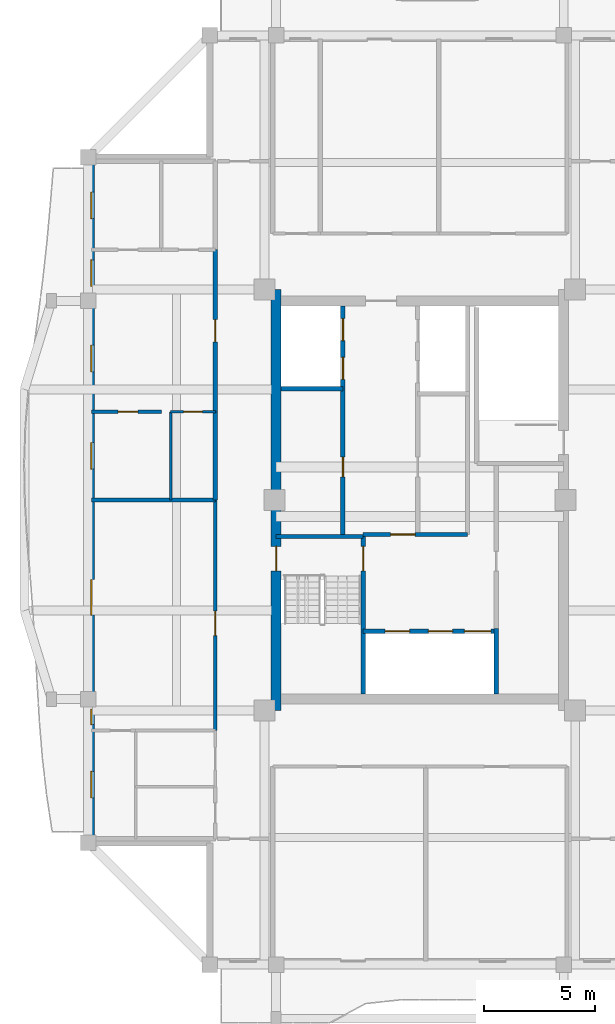
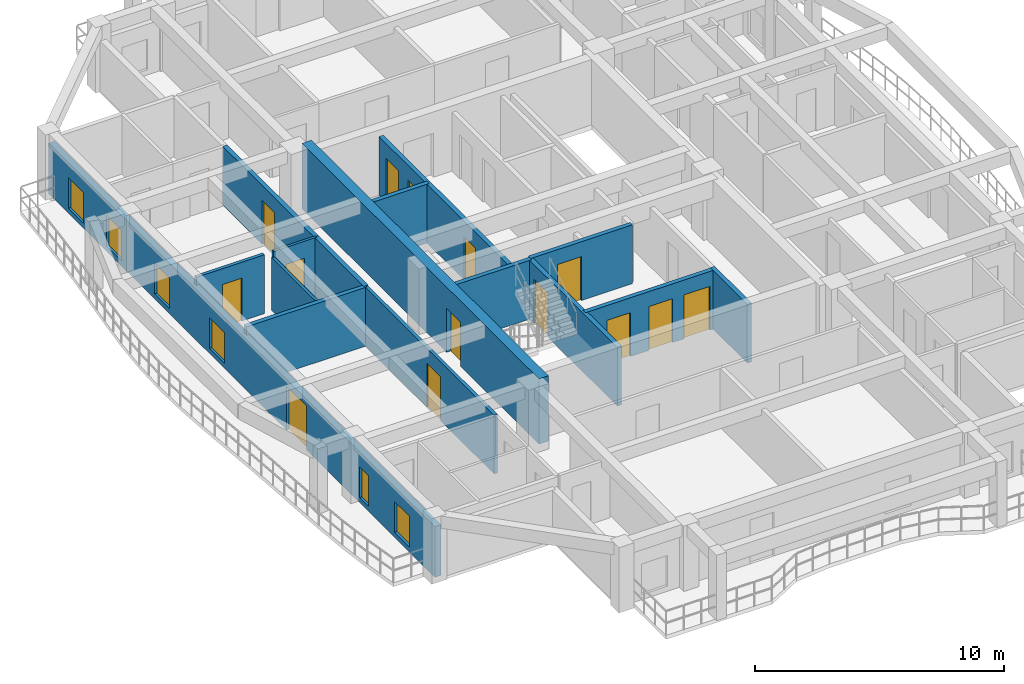
# One storey, part 3 of 11: 16 walls, 14 doors, 6 windows, 20 openings.
"""IFC4 building model written with IfcOpenShell, lengths in metres."""

from ifc_helpers import new_model, si_unit, direction, frame, frame_2d, origin, place, context, subcontext, project, spatial, rectangle, extrude, source, transform, mapped, material, layer, layer_set, type_object, element, fill, save


model = new_model("IFC4")

# Units and contexts
model_context = context("Model", 3, precision=1e-05, world=origin(), true_north=direction((0.0, 1.0)))
body_context = subcontext(model_context, "Body", "Model", "MODEL_VIEW")
ifc_project = project(units=[si_unit("LENGTHUNIT", "METRE"), si_unit("AREAUNIT", "SQUARE_METRE"), si_unit("VOLUMEUNIT", "CUBIC_METRE"), si_unit("PLANEANGLEUNIT", "RADIAN"), si_unit("MASSUNIT", "GRAM", prefix="KILO")], contexts=[model_context])

# Site, building, storey
site_placement = place(None, origin())
site = spatial("IfcSite", under=ifc_project, at=site_placement, CompositionType="ELEMENT")
building_placement = place(site_placement, origin())
building = spatial("IfcBuilding", under=site, at=building_placement, Name="Saelheon Loggia Tower", CompositionType="ELEMENT")
storey_placement = place(building_placement, frame((0.0, 0.0, 249.0)))
storey = spatial("IfcBuildingStorey", under=building, at=storey_placement, Name="L77", CompositionType="ELEMENT", Elevation=249.0)

# Wall, opening, door
ifc_material_1 = material(Name="Concrete C45/55", Category="concrete")
ifc_layer_1 = layer(ifc_material_1, 0.449951171875)
ifc_layer_set_1 = layer_set([ifc_layer_1], Name="Concrete C45/55")
wall_type_1 = type_object("IfcWallType", Name="Wall_CoreShear_450", PredefinedType="SHEAR", material=ifc_layer_set_1)
wall_1_placement = place(storey_placement, frame((31.5, 17.47998046875, 0.0), z_axis=(0.0, 0.0, 1.0), x_axis=(0.0, 1.0, 0.0)))
wall_1 = element("IfcWall", 1, at=wall_1_placement, inside=storey, type_object=wall_type_1, Name="L77 Core Shear Wall West", PredefinedType="SHEAR", context=body_context, shape_type="SweptSolid", body=[
    extrude(rectangle(XDim=19.0400390625, YDim=0.449951171875, at=frame_2d((9.52001953125, 0.0))), origin(), (0.0, 0.0, 1.0), 3.199951171875),
])
opening_1_placement = place(wall_1_placement, frame((6.320068359375, 0.0, 0.0)))
opening_1 = element("IfcOpeningElement", 2, at=opening_1_placement, cuts=wall_1, Name="Opening D-FD2", PredefinedType="OPENING", context=body_context, shape_type="SweptSolid", body=[
    extrude(rectangle(XDim=1.10009765625, YDim=2.14990234375, at=frame_2d((0.550048828125, 1.074951171875))), frame((0.0, 0.237060546875, 0.0), z_axis=(0.0, -1.0, 0.0), x_axis=(1.0, 0.0, 0.0)), (0.0, 0.0, 1.0), 0.473876953125),
])
ifc_material_2 = material(Name="Galvanised Steel Fire Door", Category="steel")
door_type_1 = type_object("IfcDoorType", Name="Door_Fire_FD60_1100", OperationType="NOTDEFINED", PredefinedType="DOOR", material=ifc_material_2)
shared_shape_1 = source(origin(), body_context, "Body", "SweptSolid", [
    extrude(rectangle(XDim=1.10009765625, YDim=2.14990234375, at=frame_2d((0.550048828125, 1.074951171875))), frame((0.0, 0.02490234375, 0.0), z_axis=(0.0, -1.0, 0.0), x_axis=(1.0, 0.0, 0.0)), (0.0, 0.0, 1.0), 0.050048828125),
])
door_1_placement = place(opening_1_placement, origin())
door_1 = element("IfcDoor", 3, at=door_1_placement, inside=storey, type_object=door_type_1, Name="L77 Stair ST1 Corridor Door", OperationType="SINGLE_SWING_LEFT", OverallHeight=2.14990234375, OverallWidth=1.10009765625, PredefinedType="DOOR", context=body_context, shape_type="MappedRepresentation", body=[
    mapped(shared_shape_1, transform((0.0, 0.0, 0.0), scale=1.0)),
])
fill(opening_1, door_1)

# Wall, openings, windows, door
ifc_material_3 = material(Name="Architectural Precast Concrete C40/50", Category="concrete")
ifc_layer_2 = layer(ifc_material_3, 0.280029296875)
ifc_layer_set_2 = layer_set([ifc_layer_2], Name="Architectural Precast Concrete C40/50")
wall_type_2 = type_object("IfcWallType", Name="Wall_Ext_Loggia_280", PredefinedType="SOLIDWALL", material=ifc_layer_set_2)
wall_2_placement = place(storey_placement, frame((23.139892578125, 11.5, 0.0), z_axis=(0.0, 0.0, 1.0), x_axis=(0.0, 1.0, 0.0)))
wall_2 = element("IfcWall", 4, at=wall_2_placement, inside=storey, type_object=wall_type_2, Name="L77 West Loggia Inner Wall", PredefinedType="SOLIDWALL", context=body_context, shape_type="SweptSolid", body=[
    extrude(rectangle(XDim=31.0, YDim=0.280029296875, at=frame_2d((15.5, 0.0))), origin(), (0.0, 0.0, 1.0), 2.47998046875),
])
opening_2_placement = place(wall_2_placement, frame((2.034912109375, 0.0, 0.25)))
opening_2 = element("IfcOpeningElement", 5, at=opening_2_placement, cuts=wall_2, Name="Opening WN-03", PredefinedType="OPENING", context=body_context, shape_type="SweptSolid", body=[
    extrude(rectangle(XDim=1.199951171875, YDim=1.5, at=frame_2d((0.60009765625, 0.75))), frame((0.0, 0.152099609375, 0.0), z_axis=(0.0, -1.0, 0.0), x_axis=(1.0, 0.0, 0.0)), (0.0, 0.0, 1.0), 0.303955078125),
])
opening_3_placement = place(wall_2_placement, frame((5.344970703125, 0.0, 0.25)))
opening_3 = element("IfcOpeningElement", 6, at=opening_3_placement, cuts=wall_2, Name="Opening WN-06", PredefinedType="OPENING", context=body_context, shape_type="SweptSolid", body=[
    extrude(rectangle(XDim=0.699951171875, YDim=1.5, at=frame_2d((0.35009765625, 0.75))), frame((0.0, 0.152099609375, 0.0), z_axis=(0.0, -1.0, 0.0), x_axis=(1.0, 0.0, 0.0)), (0.0, 0.0, 1.0), 0.303955078125),
])
opening_4_placement = place(wall_2_placement, frame((10.294921875, 0.0, 0.0)))
opening_4 = element("IfcOpeningElement", 7, at=opening_4_placement, cuts=wall_2, Name="Opening DLG-1", PredefinedType="OPENING", context=body_context, shape_type="SweptSolid", body=[
    extrude(rectangle(XDim=1.60009765625, YDim=2.14990234375, at=frame_2d((0.800048828125, 1.074951171875))), frame((0.0, 0.152099609375, 0.0), z_axis=(0.0, -1.0, 0.0), x_axis=(1.0, 0.0, 0.0)), (0.0, 0.0, 1.0), 0.303955078125),
])
opening_5_placement = place(wall_2_placement, frame((16.8916015625, 0.0, 0.25)))
opening_5 = element("IfcOpeningElement", 8, at=opening_5_placement, cuts=wall_2, Name="Opening WN-03", PredefinedType="OPENING", context=body_context, shape_type="SweptSolid", body=[
    extrude(rectangle(XDim=1.199951171875, YDim=1.5, at=frame_2d((0.60009765625, 0.75))), frame((0.0, 0.152099609375, 0.0), z_axis=(0.0, -1.0, 0.0), x_axis=(1.0, 0.0, 0.0)), (0.0, 0.0, 1.0), 0.303955078125),
])
opening_6_placement = place(wall_2_placement, frame((21.296630859375, 0.0, 0.25)))
opening_6 = element("IfcOpeningElement", 9, at=opening_6_placement, cuts=wall_2, Name="Opening WN-03", PredefinedType="OPENING", context=body_context, shape_type="SweptSolid", body=[
    extrude(rectangle(XDim=1.199951171875, YDim=1.5, at=frame_2d((0.60009765625, 0.75))), frame((0.0, 0.152099609375, 0.0), z_axis=(0.0, -1.0, 0.0), x_axis=(1.0, 0.0, 0.0)), (0.0, 0.0, 1.0), 0.303955078125),
])
opening_7_placement = place(wall_2_placement, frame((25.155029296875, 0.0, 0.25)))
opening_7 = element("IfcOpeningElement", 10, at=opening_7_placement, cuts=wall_2, Name="Opening WN-03", PredefinedType="OPENING", context=body_context, shape_type="SweptSolid", body=[
    extrude(rectangle(XDim=1.199951171875, YDim=1.5, at=frame_2d((0.60009765625, 0.75))), frame((0.0, 0.152099609375, 0.0), z_axis=(0.0, -1.0, 0.0), x_axis=(1.0, 0.0, 0.0)), (0.0, 0.0, 1.0), 0.303955078125),
])
opening_8_placement = place(wall_2_placement, frame((28.215087890625, 0.0, 0.25)))
opening_8 = element("IfcOpeningElement", 11, at=opening_8_placement, cuts=wall_2, Name="Opening WN-03", PredefinedType="OPENING", context=body_context, shape_type="SweptSolid", body=[
    extrude(rectangle(XDim=1.199951171875, YDim=1.5, at=frame_2d((0.60009765625, 0.75))), frame((0.0, 0.152099609375, 0.0), z_axis=(0.0, -1.0, 0.0), x_axis=(1.0, 0.0, 0.0)), (0.0, 0.0, 1.0), 0.303955078125),
])
ifc_material_4 = material(Name="Thermal-Break Aluminium and Triple Low-E Glass", Category="aluminium")
window_type_1 = type_object("IfcWindowType", Name="Win_Slot_700x1500", PartitioningType="SINGLE_PANEL", PredefinedType="WINDOW", material=ifc_material_4)
shared_shape_2 = source(origin(), body_context, "Body", "SweptSolid", [
    extrude(rectangle(XDim=0.699951171875, YDim=1.5, at=frame_2d((0.35009765625, 0.75))), frame((0.0, 0.030029296875, 0.0), z_axis=(0.0, -1.0, 0.0), x_axis=(1.0, 0.0, 0.0)), (0.0, 0.0, 1.0), 0.06005859375),
])
window_1_placement = place(opening_3_placement, origin())
window_1 = element("IfcWindow", 12, at=window_1_placement, inside=storey, type_object=window_type_1, Name="L77 W Dwelling Window 2", OverallHeight=1.5, OverallWidth=0.699951171875, PartitioningType="SINGLE_PANEL", PredefinedType="WINDOW", context=body_context, shape_type="MappedRepresentation", body=[
    mapped(shared_shape_2, transform((0.0, 0.0, 0.0), scale=1.0)),
])
fill(opening_3, window_1)
window_type_2 = type_object("IfcWindowType", Name="Win_Bedroom_1200x1500", PartitioningType="SINGLE_PANEL", PredefinedType="WINDOW", material=ifc_material_4)
shared_shape_3 = source(origin(), body_context, "Body", "SweptSolid", [
    extrude(rectangle(XDim=1.199951171875, YDim=1.5, at=frame_2d((0.60009765625, 0.75))), frame((0.0, 0.030029296875, 0.0), z_axis=(0.0, -1.0, 0.0), x_axis=(1.0, 0.0, 0.0)), (0.0, 0.0, 1.0), 0.06005859375),
])
window_2_placement = place(opening_2_placement, origin())
window_2 = element("IfcWindow", 13, at=window_2_placement, inside=storey, type_object=window_type_2, Name="L77 W Dwelling Window 1", OverallHeight=1.5, OverallWidth=1.199951171875, PartitioningType="SINGLE_PANEL", PredefinedType="WINDOW", context=body_context, shape_type="MappedRepresentation", body=[
    mapped(shared_shape_3, transform((0.0, 0.0, 0.0), scale=1.0)),
])
fill(opening_2, window_2)
window_3_placement = place(opening_5_placement, origin())
window_3 = element("IfcWindow", 14, at=window_3_placement, inside=storey, type_object=window_type_2, Name="L77 W Dwelling Window 4", OverallHeight=1.5, OverallWidth=1.199951171875, PartitioningType="SINGLE_PANEL", PredefinedType="WINDOW", context=body_context, shape_type="MappedRepresentation", body=[
    mapped(shared_shape_3, transform((0.0, 0.0, 0.0), scale=1.0)),
])
fill(opening_5, window_3)
window_4_placement = place(opening_6_placement, origin())
window_4 = element("IfcWindow", 15, at=window_4_placement, inside=storey, type_object=window_type_2, Name="L77 W Dwelling Window 5", OverallHeight=1.5, OverallWidth=1.199951171875, PartitioningType="SINGLE_PANEL", PredefinedType="WINDOW", context=body_context, shape_type="MappedRepresentation", body=[
    mapped(shared_shape_3, transform((0.0, 0.0, 0.0), scale=1.0)),
])
fill(opening_6, window_4)
window_5_placement = place(opening_7_placement, origin())
window_5 = element("IfcWindow", 16, at=window_5_placement, inside=storey, type_object=window_type_2, Name="L77 W Dwelling Window 6", OverallHeight=1.5, OverallWidth=1.199951171875, PartitioningType="SINGLE_PANEL", PredefinedType="WINDOW", context=body_context, shape_type="MappedRepresentation", body=[
    mapped(shared_shape_3, transform((0.0, 0.0, 0.0), scale=1.0)),
])
fill(opening_7, window_5)
window_6_placement = place(opening_8_placement, origin())
window_6 = element("IfcWindow", 17, at=window_6_placement, inside=storey, type_object=window_type_2, Name="L77 W Dwelling Window 7", OverallHeight=1.5, OverallWidth=1.199951171875, PartitioningType="SINGLE_PANEL", PredefinedType="WINDOW", context=body_context, shape_type="MappedRepresentation", body=[
    mapped(shared_shape_3, transform((0.0, 0.0, 0.0), scale=1.0)),
])
fill(opening_8, window_6)
ifc_material_5 = material(Name="Thermal-Break Aluminium Sliding Glazed Door", Category="aluminium")
door_type_2 = type_object("IfcDoorType", Name="Door_LoggiaSlide_1600", OperationType="SLIDING_TO_LEFT", PredefinedType="DOOR", material=ifc_material_5)
shared_shape_4 = source(origin(), body_context, "Body", "SweptSolid", [
    extrude(rectangle(XDim=1.60009765625, YDim=2.14990234375, at=frame_2d((0.800048828125, 1.074951171875))), frame((0.0, 0.02490234375, 0.0), z_axis=(0.0, -1.0, 0.0), x_axis=(1.0, 0.0, 0.0)), (0.0, 0.0, 1.0), 0.050048828125),
])
door_2_placement = place(opening_4_placement, origin())
door_2 = element("IfcDoor", 18, at=door_2_placement, inside=storey, type_object=door_type_2, Name="L77 W Loggia Access Door", OperationType="SLIDING_TO_LEFT", OverallHeight=2.14990234375, OverallWidth=1.60009765625, PredefinedType="DOOR", context=body_context, shape_type="MappedRepresentation", body=[
    mapped(shared_shape_4, transform((0.0, 0.0, 0.0), scale=1.0)),
])
fill(opening_4, door_2)

# Wall, opening, door
ifc_material_6 = material(Name="Lightweight Autoclaved Aerated Concrete Block and Acoustic Gypsum", Category="concrete")
ifc_layer_3 = layer(ifc_material_6, 0.14990234375)
ifc_layer_set_3 = layer_set([ifc_layer_3], Name="Lightweight Autoclaved Aerated Concrete Block and Acoustic Gypsum")
wall_type_3 = type_object("IfcWallType", Name="Wall_Part_150", PredefinedType="PARTITIONING", material=ifc_layer_set_3)
wall_3_placement = place(storey_placement, frame((28.75, 16.580078125, 0.0), z_axis=(0.0, 0.0, 1.0), x_axis=(0.0, 1.0, 0.0)))
wall_3 = element("IfcWall", 19, at=wall_3_placement, inside=storey, type_object=wall_type_3, Name="L77 W Partition V09", PredefinedType="PARTITIONING", context=body_context, shape_type="SweptSolid", body=[
    extrude(rectangle(XDim=10.419921875, YDim=0.14990234375, at=frame_2d((5.2099609375, 0.0))), origin(), (0.0, 0.0, 1.0), 2.8798828125),
])
opening_9_placement = place(wall_3_placement, frame((4.293212890625, 0.0, 0.0)))
opening_9 = element("IfcOpeningElement", 20, at=opening_9_placement, cuts=wall_3, Name="Opening D-FD2", PredefinedType="OPENING", context=body_context, shape_type="SweptSolid", body=[
    extrude(rectangle(XDim=1.10009765625, YDim=2.14990234375, at=frame_2d((0.550048828125, 1.074951171875))), frame((0.0, 0.0869140625, 0.0), z_axis=(0.0, -1.0, 0.0), x_axis=(1.0, 0.0, 0.0)), (0.0, 0.0, 1.0), 0.173828125),
])
door_3_placement = place(opening_9_placement, origin())
door_3 = element("IfcDoor", 21, at=door_3_placement, inside=storey, type_object=door_type_1, Name="L77 Co-Working Open Plan Office Door A", OperationType="SINGLE_SWING_RIGHT", OverallHeight=2.14990234375, OverallWidth=1.10009765625, PredefinedType="DOOR", context=body_context, shape_type="MappedRepresentation", body=[
    mapped(shared_shape_1, transform((0.0, 0.0, 0.0), scale=1.0)),
])
fill(opening_9, door_3)

wall_4_placement = place(storey_placement, frame((26.31005859375, 30.983154296875, 0.0), z_axis=(0.0, 0.0, 1.0), x_axis=(-1.0, 0.0, 0.0)))
wall_4 = element("IfcWall", 22, at=wall_4_placement, inside=storey, type_object=wall_type_3, Name="L77 W Partition U17", PredefinedType="PARTITIONING", context=body_context, shape_type="SweptSolid", body=[
    extrude(rectangle(XDim=3.16015625, YDim=0.14990234375, at=frame_2d((1.580078125, 0.0))), origin(), (0.0, 0.0, 1.0), 2.8798828125),
])
opening_10_placement = place(wall_4_placement, frame((1.055908203125, 0.0, 0.0)))
opening_10 = element("IfcOpeningElement", 23, at=opening_10_placement, cuts=wall_4, Name="Opening D-IN2", PredefinedType="OPENING", context=body_context, shape_type="SweptSolid", body=[
    extrude(rectangle(XDim=0.89990234375, YDim=2.10009765625, at=frame_2d((0.449951171875, 1.050048828125))), frame((0.0, 0.0869140625, 0.0), z_axis=(0.0, -1.0, 0.0), x_axis=(1.0, 0.0, 0.0)), (0.0, 0.0, 1.0), 0.173828125),
])
ifc_material_7 = material(Name="Engineered Oak Flush Door", Category="timber")
door_type_3 = type_object("IfcDoorType", Name="Door_Int_900", OperationType="NOTDEFINED", PredefinedType="DOOR", material=ifc_material_7)
shared_shape_5 = source(origin(), body_context, "Body", "SweptSolid", [
    extrude(rectangle(XDim=0.89990234375, YDim=2.10009765625, at=frame_2d((0.449951171875, 1.050048828125))), frame((0.0, 0.02490234375, 0.0), z_axis=(0.0, -1.0, 0.0), x_axis=(1.0, 0.0, 0.0)), (0.0, 0.0, 1.0), 0.050048828125),
])
door_4_placement = place(opening_10_placement, origin())
door_4 = element("IfcDoor", 24, at=door_4_placement, inside=storey, type_object=door_type_3, Name="Unit U01 Bedroom 2 Door", OperationType="SINGLE_SWING_LEFT", OverallHeight=2.10009765625, OverallWidth=0.89990234375, PredefinedType="DOOR", context=body_context, shape_type="MappedRepresentation", body=[
    mapped(shared_shape_5, transform((0.0, 0.0, 0.0), scale=1.0)),
])
fill(opening_10, door_4)

# Walls
ifc_material_8 = material(Name="Double Acoustic Stud and Fireboard Partition", Category="gypsum")
ifc_layer_4 = layer(ifc_material_8, 0.199951171875)
ifc_layer_set_4 = layer_set([ifc_layer_4], Name="Double Acoustic Stud and Fireboard Partition")
wall_type_4 = type_object("IfcWallType", Name="Wall_Party_200", PredefinedType="PARTITIONING", material=ifc_layer_set_4)
wall_5_placement = place(storey_placement, frame((28.75, 27.0, 0.0), z_axis=(0.0, 0.0, 1.0), x_axis=(-1.0, 0.0, 0.0)))
element("IfcWall", 25, at=wall_5_placement, inside=storey, type_object=wall_type_4, Name="L77 W Partition U10", PredefinedType="PARTITIONING", context=body_context, shape_type="SweptSolid", body=[
    extrude(rectangle(XDim=5.60009765625, YDim=0.199951171875, at=frame_2d((2.800048828125, 0.0))), origin(), (0.0, 0.0, 1.0), 2.8798828125),
])
wall_6_placement = place(storey_placement, frame((28.75, 27.0, 0.0), z_axis=(0.0, 0.0, 1.0), x_axis=(0.0, 1.0, 0.0)))
element("IfcWall", 26, at=wall_6_placement, inside=storey, type_object=wall_type_4, Name="L77 W Partition V11", PredefinedType="PARTITIONING", context=body_context, shape_type="SweptSolid", body=[
    extrude(rectangle(XDim=3.983154296875, YDim=0.199951171875, at=frame_2d((1.99169921875, 0.0))), origin(), (0.0, 0.0, 1.0), 2.8798828125),
])

# Wall, opening, door
wall_7_placement = place(storey_placement, frame((28.75, 30.983154296875, 0.0), z_axis=(0.0, 0.0, 1.0), x_axis=(0.0, 1.0, 0.0)))
wall_7 = element("IfcWall", 27, at=wall_7_placement, inside=storey, type_object=wall_type_4, Name="L77 W Partition V12", PredefinedType="PARTITIONING", context=body_context, shape_type="SweptSolid", body=[
    extrude(rectangle(XDim=7.3369140625, YDim=0.199951171875, at=frame_2d((3.66845703125, 0.0))), origin(), (0.0, 0.0, 1.0), 2.8798828125),
])
opening_11_placement = place(wall_7_placement, frame((3.16845703125, 0.0, 0.0)))
opening_11 = element("IfcOpeningElement", 28, at=opening_11_placement, cuts=wall_7, Name="Opening D-FD1", PredefinedType="OPENING", context=body_context, shape_type="SweptSolid", body=[
    extrude(rectangle(XDim=1.0, YDim=2.14990234375, at=frame_2d((0.5, 1.074951171875))), frame((0.0, 0.112060546875, 0.0), z_axis=(0.0, -1.0, 0.0), x_axis=(1.0, 0.0, 0.0)), (0.0, 0.0, 1.0), 0.223876953125),
])
ifc_material_9 = material(Name="Fire-Rated Engineered Timber Entrance Door", Category="wood")
door_type_4 = type_object("IfcDoorType", Name="Door_Flat_FD30S", OperationType="NOTDEFINED", PredefinedType="DOOR", material=ifc_material_9)
shared_shape_6 = source(origin(), body_context, "Body", "SweptSolid", [
    extrude(rectangle(XDim=1.0, YDim=2.14990234375, at=frame_2d((0.5, 1.074951171875))), frame((0.0, 0.02490234375, 0.0), z_axis=(0.0, -1.0, 0.0), x_axis=(1.0, 0.0, 0.0)), (0.0, 0.0, 1.0), 0.050048828125),
])
door_5_placement = place(opening_11_placement, origin())
door_5 = element("IfcDoor", 29, at=door_5_placement, inside=storey, type_object=door_type_4, Name="Unit U01 Entrance Door", OperationType="SINGLE_SWING_LEFT", OverallHeight=2.14990234375, OverallWidth=1.0, PredefinedType="DOOR", context=body_context, shape_type="MappedRepresentation", body=[
    mapped(shared_shape_6, transform((0.0, 0.0, 0.0), scale=1.0)),
])
fill(opening_11, door_5)

# Wall
ifc_material_10 = material(Name="Concrete C40/50", Category="concrete")
ifc_layer_5 = layer(ifc_material_10, 0.199951171875)
ifc_layer_set_5 = layer_set([ifc_layer_5], Name="Concrete C40/50")
wall_type_5 = type_object("IfcWallType", Name="Wall_Shaft_200", PredefinedType="PARTITIONING", material=ifc_layer_set_5)
wall_8_placement = place(storey_placement, frame((41.449951171875, 18.219970703125, 0.0), z_axis=(0.0, 0.0, 1.0), x_axis=(0.0, 1.0, 0.0)))
element("IfcWall", 30, at=wall_8_placement, inside=storey, type_object=wall_type_5, Name="CW-INT-L77-BOH-W0", PredefinedType="PARTITIONING", context=body_context, shape_type="SweptSolid", body=[
    extrude(rectangle(XDim=2.9599609375, YDim=0.199951171875, at=frame_2d((1.47998046875, 0.0))), origin(), (0.0, 0.0, 1.0), 2.8798828125),
])

# Wall, openings, doors
wall_9_placement = place(storey_placement, frame((35.429931640625, 21.06005859375, 0.0), z_axis=(0.0, 0.0, 1.0), x_axis=(1.0, 0.0, 0.0)))
wall_9 = element("IfcWall", 31, at=wall_9_placement, inside=storey, type_object=wall_type_5, Name="L77 Firefighting Lift Shaft Front Wall", PredefinedType="PARTITIONING", context=body_context, shape_type="SweptSolid", body=[
    extrude(rectangle(XDim=6.02001953125, YDim=0.199951171875, at=frame_2d((3.010009765625, 0.0))), origin(), (0.0, 0.0, 1.0), 2.8798828125),
])
opening_12_placement = place(wall_9_placement, frame((1.0, 0.0, 0.0)))
opening_12 = element("IfcOpeningElement", 32, at=opening_12_placement, cuts=wall_9, Name="Opening LD2", PredefinedType="OPENING", context=body_context, shape_type="SweptSolid", body=[
    extrude(rectangle(XDim=1.10009765625, YDim=2.14990234375, at=frame_2d((0.550048828125, 1.074951171875))), frame((0.0, 0.112060546875, 0.0), z_axis=(0.0, -1.0, 0.0), x_axis=(1.0, 0.0, 0.0)), (0.0, 0.0, 1.0), 0.223876953125),
])
opening_13_placement = place(wall_9_placement, frame((2.949951171875, 0.0, 0.0)))
opening_13 = element("IfcOpeningElement", 33, at=opening_13_placement, cuts=wall_9, Name="Opening LD2", PredefinedType="OPENING", context=body_context, shape_type="SweptSolid", body=[
    extrude(rectangle(XDim=1.10009765625, YDim=2.14990234375, at=frame_2d((0.550048828125, 1.074951171875))), frame((0.0, 0.112060546875, 0.0), z_axis=(0.0, -1.0, 0.0), x_axis=(1.0, 0.0, 0.0)), (0.0, 0.0, 1.0), 0.223876953125),
])
opening_14_placement = place(wall_9_placement, frame((4.580078125, 0.0, 0.0)))
opening_14 = element("IfcOpeningElement", 34, at=opening_14_placement, cuts=wall_9, Name="Opening LD3", PredefinedType="OPENING", context=body_context, shape_type="SweptSolid", body=[
    extrude(rectangle(XDim=1.199951171875, YDim=2.14990234375, at=frame_2d((0.60009765625, 1.074951171875))), frame((0.0, 0.112060546875, 0.0), z_axis=(0.0, -1.0, 0.0), x_axis=(1.0, 0.0, 0.0)), (0.0, 0.0, 1.0), 0.223876953125),
])
ifc_material_11 = material(Name="Firefighting Stainless Steel 316 Landing Door", Category="steel")
door_type_5 = type_object("IfcDoorType", Name="Door_Lift_LD2", OperationType="DOUBLE_DOOR_SLIDING", PredefinedType="DOOR", material=ifc_material_11)
door_6_placement = place(opening_12_placement, origin())
door_6 = element("IfcDoor", 35, at=door_6_placement, inside=storey, type_object=door_type_5, Name="L77 FF1 Landing Door", OperationType="DOUBLE_DOOR_SLIDING", OverallHeight=2.14990234375, OverallWidth=1.10009765625, PredefinedType="DOOR", context=body_context, shape_type="MappedRepresentation", body=[
    mapped(shared_shape_1, transform((0.0, 0.0, 0.0), scale=1.0)),
])
fill(opening_12, door_6)
door_7_placement = place(opening_13_placement, origin())
door_7 = element("IfcDoor", 36, at=door_7_placement, inside=storey, type_object=door_type_5, Name="L77 FF2 Landing Door", OperationType="DOUBLE_DOOR_SLIDING", OverallHeight=2.14990234375, OverallWidth=1.10009765625, PredefinedType="DOOR", context=body_context, shape_type="MappedRepresentation", body=[
    mapped(shared_shape_1, transform((0.0, 0.0, 0.0), scale=1.0)),
])
fill(opening_13, door_7)
ifc_material_12 = material(Name="Stretcher Lift Stainless Steel 304 Landing Door", Category="steel")
door_type_6 = type_object("IfcDoorType", Name="Door_Lift_LD3", OperationType="DOUBLE_DOOR_SLIDING", PredefinedType="DOOR", material=ifc_material_12)
shared_shape_7 = source(origin(), body_context, "Body", "SweptSolid", [
    extrude(rectangle(XDim=1.199951171875, YDim=2.14990234375, at=frame_2d((0.60009765625, 1.074951171875))), frame((0.0, 0.02490234375, 0.0), z_axis=(0.0, -1.0, 0.0), x_axis=(1.0, 0.0, 0.0)), (0.0, 0.0, 1.0), 0.050048828125),
])
door_8_placement = place(opening_14_placement, origin())
door_8 = element("IfcDoor", 37, at=door_8_placement, inside=storey, type_object=door_type_6, Name="L77 SV1 Landing Door", OperationType="DOUBLE_DOOR_SLIDING", OverallHeight=2.14990234375, OverallWidth=1.199951171875, PredefinedType="DOOR", context=body_context, shape_type="MappedRepresentation", body=[
    mapped(shared_shape_7, transform((0.0, 0.0, 0.0), scale=1.0)),
])
fill(opening_14, door_8)

# Wall, opening, door
wall_10_placement = place(storey_placement, frame((35.429931640625, 25.43994140625, 0.0), z_axis=(0.0, 0.0, 1.0), x_axis=(1.0, 0.0, 0.0)))
wall_10 = element("IfcWall", 38, at=wall_10_placement, inside=storey, type_object=wall_type_5, Name="L77 Firefighting Lobby Compartment Wall", PredefinedType="PARTITIONING", context=body_context, shape_type="SweptSolid", body=[
    extrude(rectangle(XDim=4.719970703125, YDim=0.199951171875, at=frame_2d((2.35986328125, 0.0))), origin(), (0.0, 0.0, 1.0), 2.8798828125),
])
opening_15_placement = place(wall_10_placement, frame((1.25, 0.0, 0.0)))
opening_15 = element("IfcOpeningElement", 39, at=opening_15_placement, cuts=wall_10, Name="Opening D-FD2", PredefinedType="OPENING", context=body_context, shape_type="SweptSolid", body=[
    extrude(rectangle(XDim=1.10009765625, YDim=2.14990234375, at=frame_2d((0.550048828125, 1.074951171875))), frame((0.0, 0.112060546875, 0.0), z_axis=(0.0, -1.0, 0.0), x_axis=(1.0, 0.0, 0.0)), (0.0, 0.0, 1.0), 0.223876953125),
])
door_9_placement = place(opening_15_placement, origin())
door_9 = element("IfcDoor", 40, at=door_9_placement, inside=storey, type_object=door_type_1, Name="L77 Firefighting Lobby Door", OperationType="SINGLE_SWING_RIGHT", OverallHeight=2.14990234375, OverallWidth=1.10009765625, PredefinedType="DOOR", context=body_context, shape_type="MappedRepresentation", body=[
    mapped(shared_shape_1, transform((0.0, 0.0, 0.0), scale=1.0)),
])
fill(opening_15, door_9)

# Wall, openings, doors
wall_11_placement = place(storey_placement, frame((34.52001953125, 25.43994140625, 0.0), z_axis=(0.0, 0.0, 1.0), x_axis=(0.0, 1.0, 0.0)))
wall_11 = element("IfcWall", 41, at=wall_11_placement, inside=storey, type_object=wall_type_5, Name="L77 West Passenger Lift Bank Wall", PredefinedType="PARTITIONING", context=body_context, shape_type="SweptSolid", body=[
    extrude(rectangle(XDim=10.340087890625, YDim=0.199951171875, at=frame_2d((5.169921875, 0.0))), origin(), (0.0, 0.0, 1.0), 2.8798828125),
])
opening_16_placement = place(wall_11_placement, frame((2.60009765625, 0.0, 0.0)))
opening_16 = element("IfcOpeningElement", 42, at=opening_16_placement, cuts=wall_11, Name="Opening D-RS1", PredefinedType="OPENING", context=body_context, shape_type="SweptSolid", body=[
    extrude(rectangle(XDim=0.89990234375, YDim=2.10009765625, at=frame_2d((0.449951171875, 1.050048828125))), frame((0.0, 0.112060546875, 0.0), z_axis=(0.0, -1.0, 0.0), x_axis=(1.0, 0.0, 0.0)), (0.0, 0.0, 1.0), 0.223876953125),
])
opening_17_placement = place(wall_11_placement, frame((7.010009765625, 0.0, 0.0)))
opening_17 = element("IfcOpeningElement", 43, at=opening_17_placement, cuts=wall_11, Name="Opening LD1", PredefinedType="OPENING", context=body_context, shape_type="SweptSolid", body=[
    extrude(rectangle(XDim=1.0, YDim=2.14990234375, at=frame_2d((0.5, 1.074951171875))), frame((0.0, 0.112060546875, 0.0), z_axis=(0.0, -1.0, 0.0), x_axis=(1.0, 0.0, 0.0)), (0.0, 0.0, 1.0), 0.223876953125),
])
opening_18_placement = place(wall_11_placement, frame((8.760009765625, 0.0, 0.0)))
opening_18 = element("IfcOpeningElement", 44, at=opening_18_placement, cuts=wall_11, Name="Opening LD1", PredefinedType="OPENING", context=body_context, shape_type="SweptSolid", body=[
    extrude(rectangle(XDim=1.0, YDim=2.14990234375, at=frame_2d((0.5, 1.074951171875))), frame((0.0, 0.112060546875, 0.0), z_axis=(0.0, -1.0, 0.0), x_axis=(1.0, 0.0, 0.0)), (0.0, 0.0, 1.0), 0.223876953125),
])
ifc_material_13 = material(Name="Galvanised Steel Riser Access Door", Category="steel")
door_type_7 = type_object("IfcDoorType", Name="Door_Riser_FD60", OperationType="NOTDEFINED", PredefinedType="DOOR", material=ifc_material_13)
door_10_placement = place(opening_16_placement, origin())
door_10 = element("IfcDoor", 45, at=door_10_placement, inside=storey, type_object=door_type_7, Name="L77 Core Parcel Room Door", OperationType="SINGLE_SWING_RIGHT", OverallHeight=2.10009765625, OverallWidth=0.89990234375, PredefinedType="DOOR", context=body_context, shape_type="MappedRepresentation", body=[
    mapped(shared_shape_5, transform((0.0, 0.0, 0.0), scale=1.0)),
])
fill(opening_16, door_10)
ifc_material_14 = material(Name="Brushed Stainless Steel 304 Landing Door", Category="steel")
door_type_8 = type_object("IfcDoorType", Name="Door_Lift_LD1", OperationType="DOUBLE_DOOR_SLIDING", PredefinedType="DOOR", material=ifc_material_14)
door_11_placement = place(opening_17_placement, origin())
door_11 = element("IfcDoor", 46, at=door_11_placement, inside=storey, type_object=door_type_8, Name="L77 PH1 Landing Door", OperationType="DOUBLE_DOOR_SLIDING", OverallHeight=2.14990234375, OverallWidth=1.0, PredefinedType="DOOR", context=body_context, shape_type="MappedRepresentation", body=[
    mapped(shared_shape_6, transform((0.0, 0.0, 0.0), scale=1.0)),
])
fill(opening_17, door_11)
door_12_placement = place(opening_18_placement, origin())
door_12 = element("IfcDoor", 47, at=door_12_placement, inside=storey, type_object=door_type_8, Name="L77 PH2 Landing Door", OperationType="DOUBLE_DOOR_SLIDING", OverallHeight=2.14990234375, OverallWidth=1.0, PredefinedType="DOOR", context=body_context, shape_type="MappedRepresentation", body=[
    mapped(shared_shape_6, transform((0.0, 0.0, 0.0), scale=1.0)),
])
fill(opening_18, door_12)

# Wall
wall_12_placement = place(storey_placement, frame((31.719970703125, 32.02001953125, 0.0), z_axis=(0.0, 0.0, 1.0), x_axis=(1.0, 0.0, 0.0)))
element("IfcWall", 48, at=wall_12_placement, inside=storey, type_object=wall_type_5, Name="L77 West High-Rise Shaft Divider", PredefinedType="PARTITIONING", context=body_context, shape_type="SweptSolid", body=[
    extrude(rectangle(XDim=2.800048828125, YDim=0.199951171875, at=frame_2d((1.39990234375, 0.0))), origin(), (0.0, 0.0, 1.0), 2.8798828125),
])

# Wall, opening, door
ifc_layer_6 = layer(ifc_material_1, 0.199951171875)
ifc_layer_set_6 = layer_set([ifc_layer_6], Name="Concrete C45/55")
wall_type_6 = type_object("IfcWallType", Name="Wall_StairShaft_RC200", PredefinedType="SOLIDWALL", material=ifc_layer_set_6)
wall_13_placement = place(storey_placement, frame((35.429931640625, 18.219970703125, 0.0), z_axis=(0.0, 0.0, 1.0), x_axis=(0.0, 1.0, 0.0)))
wall_13 = element("IfcWall", 49, at=wall_13_placement, inside=storey, type_object=wall_type_6, Name="L77 Stair ST1 Shaft Wall", PredefinedType="SOLIDWALL", context=body_context, shape_type="SweptSolid", body=[
    extrude(rectangle(XDim=7.219970703125, YDim=0.199951171875, at=frame_2d((3.60986328125, 0.0))), origin(), (0.0, 0.0, 1.0), 2.8798828125),
])
opening_19_placement = place(wall_13_placement, frame((6.68017578125, 0.0, 0.0), z_axis=(0.0, 0.0, 1.0), x_axis=(-1.0, 0.0, 0.0)))
opening_19 = element("IfcOpeningElement", 50, at=opening_19_placement, cuts=wall_13, Name="Opening D-FD2", PredefinedType="OPENING", context=body_context, shape_type="SweptSolid", body=[
    extrude(rectangle(XDim=1.10009765625, YDim=2.14990234375, at=frame_2d((0.550048828125, 1.074951171875))), frame((0.0, 0.112060546875, 0.0), z_axis=(0.0, -1.0, 0.0), x_axis=(1.0, 0.0, 0.0)), (0.0, 0.0, 1.0), 0.223876953125),
])
door_13_placement = place(opening_19_placement, origin())
door_13 = element("IfcDoor", 51, at=door_13_placement, inside=storey, type_object=door_type_1, Name="L77 Stair ST1 Lobby Door", OperationType="SINGLE_SWING_LEFT", OverallHeight=2.14990234375, OverallWidth=1.10009765625, PredefinedType="DOOR", context=body_context, shape_type="MappedRepresentation", body=[
    mapped(shared_shape_1, transform((0.0, 0.0, 0.0), scale=1.0)),
])
fill(opening_19, door_13)

# Walls
wall_14_placement = place(storey_placement, frame((31.5, 25.35009765625, 0.0), z_axis=(0.0, 0.0, 1.0), x_axis=(1.0, 0.0, 0.0)))
element("IfcWall", 52, at=wall_14_placement, inside=storey, type_object=wall_type_6, Name="L77 Stair ST1 North Wall", PredefinedType="SOLIDWALL", context=body_context, shape_type="SweptSolid", body=[
    extrude(rectangle(XDim=3.929931640625, YDim=0.199951171875, at=frame_2d((1.96484375, 0.0))), origin(), (0.0, 0.0, 1.0), 2.8798828125),
])
ifc_material_15 = material(Name="Moisture-Resistant Cement Board Partition", Category="gypsum")
ifc_layer_7 = layer(ifc_material_15, 0.1201171875)
ifc_layer_set_7 = layer_set([ifc_layer_7], Name="Moisture-Resistant Cement Board Partition")
wall_type_7 = type_object("IfcWallType", Name="Wall_WetPart_120", PredefinedType="PARTITIONING", material=ifc_layer_set_7)
wall_15_placement = place(storey_placement, frame((26.72998046875, 27.0, 0.0), z_axis=(0.0, 0.0, 1.0), x_axis=(0.0, 1.0, 0.0)))
element("IfcWall", 53, at=wall_15_placement, inside=storey, type_object=wall_type_7, Name="L77 W Partition V14", PredefinedType="PARTITIONING", context=body_context, shape_type="SweptSolid", body=[
    extrude(rectangle(XDim=3.983154296875, YDim=0.1201171875, at=frame_2d((1.99169921875, 0.0))), origin(), (0.0, 0.0, 1.0), 2.590087890625),
])

# Wall, opening, door
wall_16_placement = place(storey_placement, frame((28.75, 30.983154296875, 0.0), z_axis=(0.0, 0.0, 1.0), x_axis=(-1.0, 0.0, 0.0)))
wall_16 = element("IfcWall", 54, at=wall_16_placement, inside=storey, type_object=wall_type_7, Name="L77 W Partition U16", PredefinedType="PARTITIONING", context=body_context, shape_type="SweptSolid", body=[
    extrude(rectangle(XDim=2.02001953125, YDim=0.1201171875, at=frame_2d((1.010009765625, 0.0))), origin(), (0.0, 0.0, 1.0), 2.8798828125),
])
opening_20_placement = place(wall_16_placement, frame((0.5849609375, 0.0, 0.0)))
opening_20 = element("IfcOpeningElement", 55, at=opening_20_placement, cuts=wall_16, Name="Opening D-BT1", PredefinedType="OPENING", context=body_context, shape_type="SweptSolid", body=[
    extrude(rectangle(XDim=0.85009765625, YDim=2.050048828125, at=frame_2d((0.425048828125, 1.02490234375))), frame((0.0, 0.072021484375, 0.0), z_axis=(0.0, -1.0, 0.0), x_axis=(1.0, 0.0, 0.0)), (0.0, 0.0, 1.0), 0.14404296875),
])
ifc_material_16 = material(Name="Moisture-Resistant Laminate Timber Door", Category="wood")
door_type_9 = type_object("IfcDoorType", Name="Door_Bath_850", OperationType="NOTDEFINED", PredefinedType="DOOR", material=ifc_material_16)
shared_shape_8 = source(origin(), body_context, "Body", "SweptSolid", [
    extrude(rectangle(XDim=0.85009765625, YDim=2.050048828125, at=frame_2d((0.425048828125, 1.02490234375))), frame((0.0, 0.02490234375, 0.0), z_axis=(0.0, -1.0, 0.0), x_axis=(1.0, 0.0, 0.0)), (0.0, 0.0, 1.0), 0.050048828125),
])
door_14_placement = place(opening_20_placement, origin())
door_14 = element("IfcDoor", 56, at=door_14_placement, inside=storey, type_object=door_type_9, Name="Unit U01 Bathroom Door", OperationType="SINGLE_SWING_RIGHT", OverallHeight=2.050048828125, OverallWidth=0.85009765625, PredefinedType="DOOR", context=body_context, shape_type="MappedRepresentation", body=[
    mapped(shared_shape_8, transform((0.0, 0.0, 0.0), scale=1.0)),
])
fill(opening_20, door_14)

save(model, "model.ifc")
